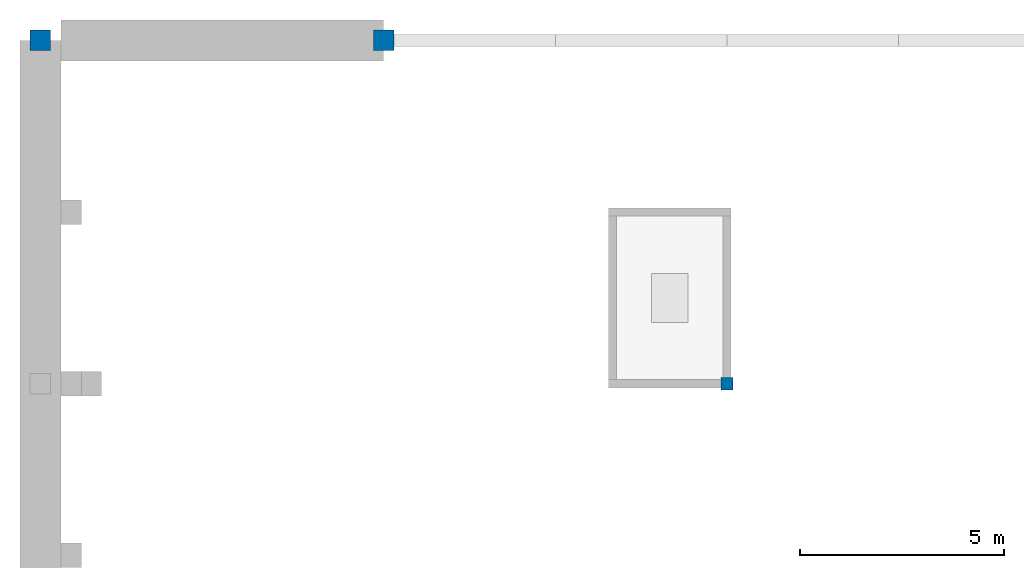
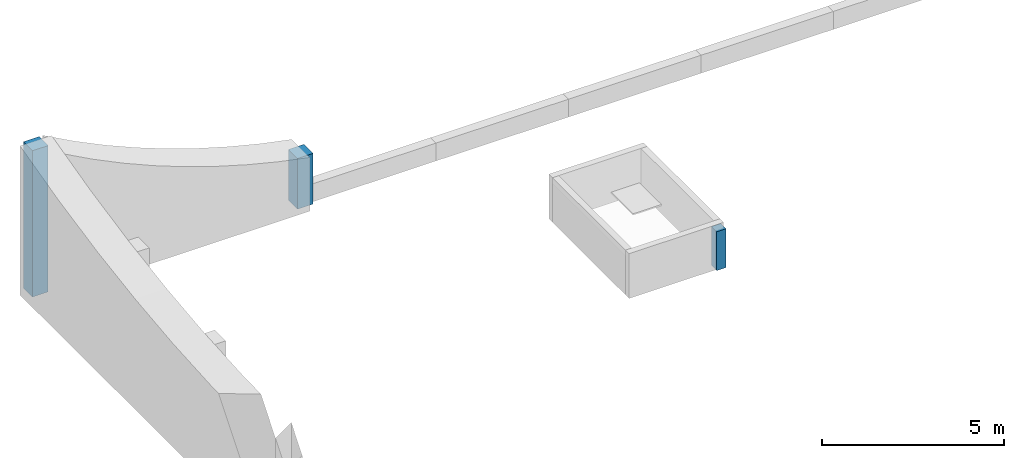
# One storey, part 3 of 4: 3 columns.
"""IFC4 building model written with IfcOpenShell, lengths in metres."""

from ifc_helpers import new_model, si_unit, direction, frame, origin, origin_2d, place, context, subcontext, project, spatial, rectangle, extrude, material, material_profile, profile_set, type_object, element, save


model = new_model("IFC4")

# Units and contexts
model_context = context("Model", 3, precision=1e-05, world=origin(), true_north=direction((0.0, 1.0)))
body_context = subcontext(model_context, "Body", "Model", "MODEL_VIEW")
ifc_project = project(units=[si_unit("LENGTHUNIT", "METRE"), si_unit("AREAUNIT", "SQUARE_METRE"), si_unit("VOLUMEUNIT", "CUBIC_METRE"), si_unit("PLANEANGLEUNIT", "RADIAN"), si_unit("MASSUNIT", "GRAM", prefix="KILO")], contexts=[model_context])

# Site, building, storey
site_placement = place(None, origin())
site = spatial("IfcSite", under=ifc_project, at=site_placement, CompositionType="ELEMENT")
building_placement = place(site_placement, origin())
building = spatial("IfcBuilding", under=site, at=building_placement, Name="Fescue Hill Polytechnic", CompositionType="ELEMENT")
storey_placement = place(building_placement, frame((0.0, 0.0, 36.0)))
storey = spatial("IfcBuildingStorey", under=building, at=storey_placement, Name="Roof", CompositionType="ELEMENT", Elevation=36.0)

# Columns
ifc_material = material(Name="Concrete 40 MPa", Category="concrete")
ifc_material_profile_1 = material_profile(ifc_material, rectangle(XDim=0.300048828125, YDim=0.300048828125, at=origin_2d()), Name="RC 300x300")
ifc_profile_set_1 = profile_set([ifc_material_profile_1], Name="Concrete 40 MPa")
column_type_1 = type_object("IfcColumnType", Name="Column RC 300x300", PredefinedType="COLUMN", material=ifc_profile_set_1)
column_1_placement = place(storey_placement, frame((16.800048828125, 126.0, 0.0), z_axis=(0.0, 0.0, 1.0), x_axis=(1.0, 0.0, 0.0)))
element("IfcColumn", 1, at=column_1_placement, inside=storey, type_object=column_type_1, Name="COL-Roof-V5-002", PredefinedType="COLUMN", context=body_context, shape_type="SweptSolid", body=[
    extrude(rectangle(XDim=0.300048828125, YDim=0.300048828125, at=origin_2d()), origin(), (0.0, 0.0, 1.0), 1.300048828125),
])
ifc_material_profile_2 = material_profile(ifc_material, rectangle(XDim=0.5, YDim=0.5, at=origin_2d()), Name="RC 500x500")
ifc_profile_set_2 = profile_set([ifc_material_profile_2], Name="Concrete 40 MPa")
column_type_2 = type_object("IfcColumnType", Name="Column RC 500x500", PredefinedType="COLUMN", material=ifc_profile_set_2)
column_2_placement = place(storey_placement, frame((0.0, 134.39990234375, 0.0), z_axis=(0.0, 0.0, 1.0), x_axis=(1.0, 0.0, 0.0)))
element("IfcColumn", 2, at=column_2_placement, inside=storey, type_object=column_type_2, Name="CP-CR5-Roof-1344", PredefinedType="COLUMN", context=body_context, shape_type="SweptSolid", body=[
    extrude(rectangle(XDim=0.5, YDim=0.5, at=origin_2d()), origin(), (0.0, 0.0, 1.0), 4.89990234375),
])
column_3_placement = place(storey_placement, frame((8.39990234375, 134.39990234375, 0.0), z_axis=(0.0, 0.0, 1.0), x_axis=(1.0, 0.0, 0.0)))
element("IfcColumn", 3, at=column_3_placement, inside=storey, type_object=column_type_2, Name="CP-CR12-Roof-0084", PredefinedType="COLUMN", context=body_context, shape_type="SweptSolid", body=[
    extrude(rectangle(XDim=0.5, YDim=0.5, at=origin_2d()), origin(), (0.0, 0.0, 1.0), 1.699951171875),
])

save(model, "model.ifc")
